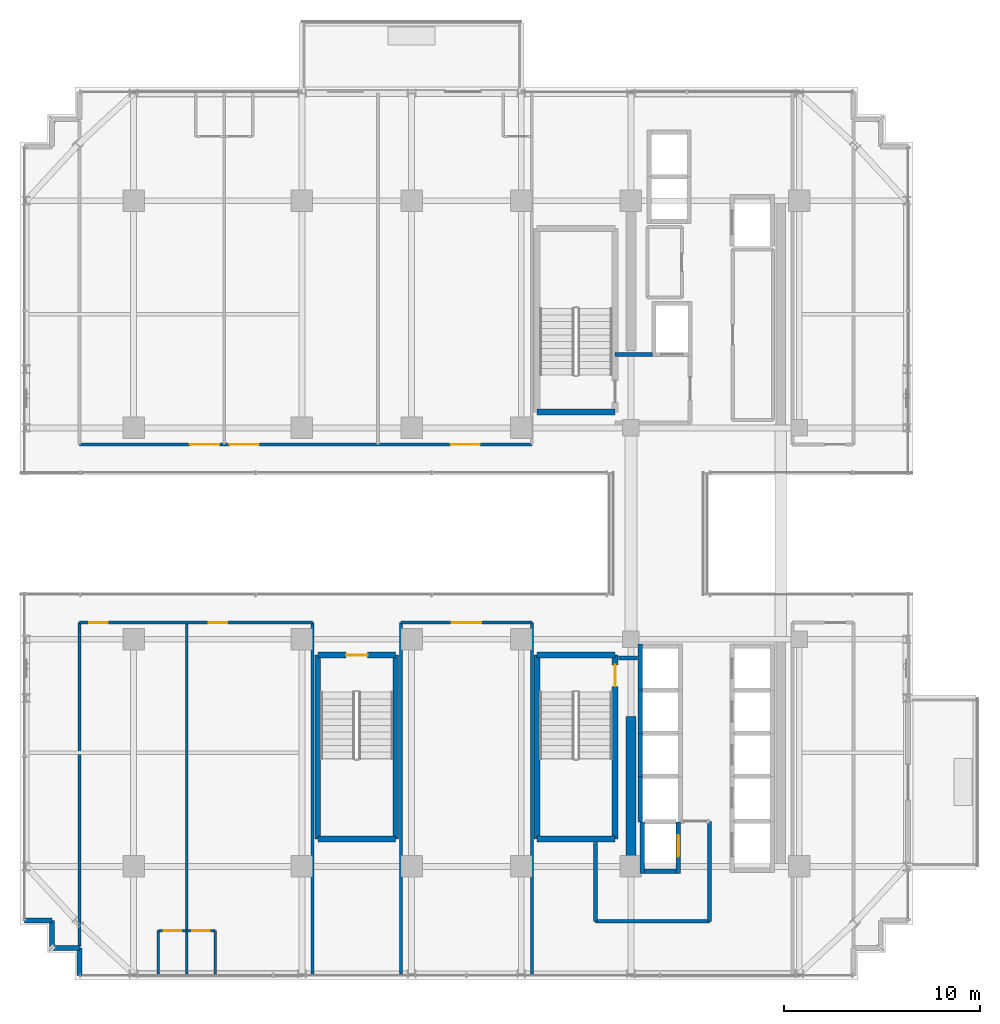
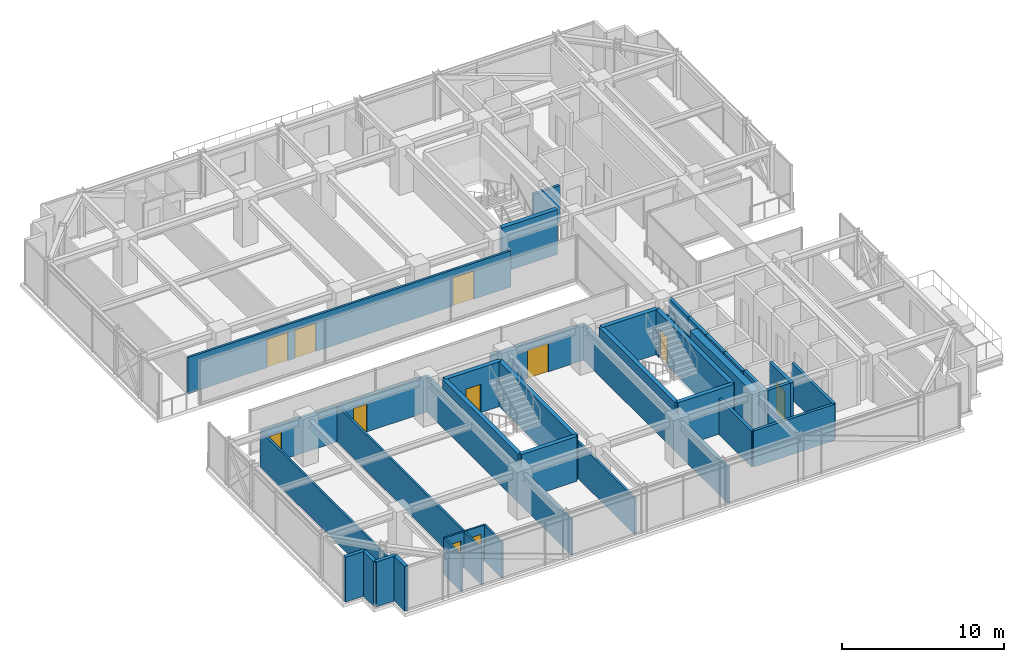
# One storey, part 34 of 41: 38 walls, 11 doors, 11 openings.
"""IFC4 building model written with IfcOpenShell, lengths in metres."""

from ifc_helpers import new_model, si_unit, direction, frame, frame_2d, origin, place, context, subcontext, project, spatial, rectangle, extrude, source, transform, mapped, material, layer, layer_set, type_object, element, fill, save


model = new_model("IFC4")

# Units and contexts
model_context = context("Model", 3, precision=1e-05, world=origin(), true_north=direction((0.0, 1.0)))
body_context = subcontext(model_context, "Body", "Model", "MODEL_VIEW")
ifc_project = project(units=[si_unit("LENGTHUNIT", "METRE"), si_unit("AREAUNIT", "SQUARE_METRE"), si_unit("VOLUMEUNIT", "CUBIC_METRE"), si_unit("PLANEANGLEUNIT", "RADIAN"), si_unit("MASSUNIT", "GRAM", prefix="KILO")], contexts=[model_context])

# Site, building, storey
site_placement = place(None, origin())
site = spatial("IfcSite", under=ifc_project, at=site_placement, CompositionType="ELEMENT")
building_placement = place(site_placement, origin())
building = spatial("IfcBuilding", under=site, at=building_placement, Name="Nahalor Promenade Grand Hotel", CompositionType="ELEMENT")
storey_placement = place(building_placement, frame((0.0, 0.0, 159.949951171875)))
storey = spatial("IfcBuildingStorey", under=building, at=storey_placement, Name="L40", CompositionType="ELEMENT", Elevation=159.949951171875)

# Walls
ifc_material_1 = material(Name="Concrete B-60 (C50/60)", Category="concrete")
ifc_layer_1 = layer(ifc_material_1, 0.5)
ifc_layer_set_1 = layer_set([ifc_layer_1], Name="Concrete B-60 (C50/60)")
wall_type_1 = type_object("IfcWallType", Name="Wall-CoreShear-500", PredefinedType="SHEAR", material=ifc_layer_set_1)
shared_shape_1 = source(origin(), body_context, "Body", "SweptSolid", [
    extrude(rectangle(XDim=7.64990234375, YDim=0.5, at=frame_2d((3.824951171875, 0.0))), origin(), (0.0, 0.0, 1.0), 3.39013671875),
])
wall_1_placement = place(storey_placement, frame((8.39990234375, -17.0, 0.0), z_axis=(0.0, 0.0, 1.0), x_axis=(0.0, 1.0, 0.0)))
element("IfcWall", 1, at=wall_1_placement, inside=storey, type_object=wall_type_1, Name="CWALL-L40-SW", PredefinedType="SHEAR", context=body_context, shape_type="MappedRepresentation", body=[
    mapped(shared_shape_1, transform((0.0, 0.0, 0.0), scale=1.0)),
])
ifc_material_2 = material(Name="Concrete B-50 (C40/50)", Category="concrete")
ifc_layer_2 = layer(ifc_material_2, 0.300048828125)
ifc_layer_set_2 = layer_set([ifc_layer_2], Name="Concrete B-50 (C40/50)")
wall_type_2 = type_object("IfcWallType", Name="Wall-ShaftShear-300", PredefinedType="SHEAR", material=ifc_layer_set_2)
shared_shape_2 = source(origin(), body_context, "Body", "SweptSolid", [
    extrude(rectangle(XDim=3.97998046875, YDim=0.300048828125, at=frame_2d((1.989990234375, 0.0))), origin(), (0.0, 0.0, 1.0), 3.39013671875),
])
for number, where, z_axis, x_axis, name in (
    (2, (3.610107421875, 6.2099609375, 0.0), (0.0, 0.0, 1.0), (1.0, 0.0, 0.0), "L40 Exit Stair ST1 Shaft Wall S"),
    (3, (3.610107421875, -15.590087890625, 0.0), (0.0, 0.0, 1.0), (1.0, 0.0, 0.0), "L40 Exit Stair ST2 Shaft Wall S"),
    (4, (3.610107421875, -6.2099609375, 0.0), (0.0, 0.0, 1.0), (1.0, 0.0, 0.0), "L40 Exit Stair ST2 Shaft Wall N"),
    (5, (-7.590087890625, -15.590087890625, 0.0), (0.0, 0.0, 1.0), (1.0, 0.0, 0.0), "L40 Exit Stair ST3 Shaft Wall S"),
):
    element("IfcWall", number, at=place(storey_placement, frame(where, z_axis=z_axis, x_axis=x_axis)), inside=storey, type_object=wall_type_2, Name=name, PredefinedType="SHEAR", context=body_context, shape_type="MappedRepresentation", body=[
        mapped(shared_shape_2, transform((0.0, 0.0, 0.0), scale=1.0)),
    ])

# Wall, opening, door
wall_2_placement = place(storey_placement, frame((-7.590087890625, -6.2099609375, 0.0), z_axis=(0.0, 0.0, 1.0), x_axis=(1.0, 0.0, 0.0)))
wall_2 = element("IfcWall", 6, at=wall_2_placement, inside=storey, type_object=wall_type_2, Name="L40 Exit Stair ST3 Shaft Wall N", PredefinedType="SHEAR", context=body_context, shape_type="MappedRepresentation", body=[
    mapped(shared_shape_2, transform((0.0, 0.0, 0.0), scale=1.0)),
])
opening_1_placement = place(wall_2_placement, frame((1.43994140625, 0.0, 0.0)))
opening_1 = element("IfcOpeningElement", 7, at=opening_1_placement, cuts=wall_2, Name="Opening D-ST1", PredefinedType="OPENING", context=body_context, shape_type="SweptSolid", body=[
    extrude(rectangle(XDim=1.10009765625, YDim=2.14990234375, at=frame_2d((0.550048828125, 1.074951171875))), frame((0.0, 0.159912109375, 0.0), z_axis=(0.0, -1.0, 0.0), x_axis=(1.0, 0.0, 0.0)), (0.0, 0.0, 1.0), 0.320068359375),
])
ifc_material_3 = material(Name="Steel S355JR", Category="steel")
door_type_1 = type_object("IfcDoorType", Name="Door-StairFire-1100", OperationType="NOTDEFINED", PredefinedType="DOOR", material=ifc_material_3)
shared_shape_3 = source(origin(), body_context, "Body", "SweptSolid", [
    extrude(rectangle(XDim=1.10009765625, YDim=2.14990234375, at=frame_2d((0.550048828125, 1.074951171875))), frame((0.0, 0.02490234375, 0.0), z_axis=(0.0, -1.0, 0.0), x_axis=(1.0, 0.0, 0.0)), (0.0, 0.0, 1.0), 0.050048828125),
])
door_1_placement = place(opening_1_placement, frame((1.10009765625, 0.0, 0.0), z_axis=(0.0, 0.0, 1.0), x_axis=(-1.0, 0.0, 0.0)))
door_1 = element("IfcDoor", 8, at=door_1_placement, inside=storey, type_object=door_type_1, Name="DR-STAIR-ST3-L40", OperationType="SINGLE_SWING_LEFT", OverallHeight=2.14990234375, OverallWidth=1.10009765625, PredefinedType="DOOR", context=body_context, shape_type="MappedRepresentation", body=[
    mapped(shared_shape_3, transform((0.0, 0.0, 0.0), scale=1.0)),
])
fill(opening_1, door_1)

# Wall
shared_shape_4 = source(origin(), body_context, "Body", "SweptSolid", [
    extrude(rectangle(XDim=9.380126953125, YDim=0.300048828125, at=frame_2d((4.68994140625, 0.0))), origin(), (0.0, 0.0, 1.0), 3.39013671875),
])
wall_3_placement = place(storey_placement, frame((3.610107421875, -15.590087890625, 0.0), z_axis=(0.0, 0.0, 1.0), x_axis=(0.0, 1.0, 0.0)))
element("IfcWall", 9, at=wall_3_placement, inside=storey, type_object=wall_type_2, Name="L40 Exit Stair ST2 Shaft Wall W", PredefinedType="SHEAR", context=body_context, shape_type="MappedRepresentation", body=[
    mapped(shared_shape_4, transform((0.0, 0.0, 0.0), scale=1.0)),
])

# Wall, opening, door
wall_4_placement = place(storey_placement, frame((7.590087890625, -15.590087890625, 0.0), z_axis=(0.0, 0.0, 1.0), x_axis=(0.0, 1.0, 0.0)))
wall_4 = element("IfcWall", 10, at=wall_4_placement, inside=storey, type_object=wall_type_2, Name="L40 Exit Stair ST2 Shaft Wall E", PredefinedType="SHEAR", context=body_context, shape_type="MappedRepresentation", body=[
    mapped(shared_shape_4, transform((0.0, 0.0, 0.0), scale=1.0)),
])
opening_2_placement = place(wall_4_placement, frame((7.7900390625, 0.0, 0.0)))
opening_2 = element("IfcOpeningElement", 11, at=opening_2_placement, cuts=wall_4, Name="Opening D-ST1", PredefinedType="OPENING", context=body_context, shape_type="SweptSolid", body=[
    extrude(rectangle(XDim=1.10009765625, YDim=2.14990234375, at=frame_2d((0.550048828125, 1.074951171875))), frame((0.0, 0.159912109375, 0.0), z_axis=(0.0, -1.0, 0.0), x_axis=(1.0, 0.0, 0.0)), (0.0, 0.0, 1.0), 0.320068359375),
])
door_2_placement = place(opening_2_placement, origin())
door_2 = element("IfcDoor", 12, at=door_2_placement, inside=storey, type_object=door_type_1, Name="DR-STAIR-ST2-L40", OperationType="SINGLE_SWING_LEFT", OverallHeight=2.14990234375, OverallWidth=1.10009765625, PredefinedType="DOOR", context=body_context, shape_type="MappedRepresentation", body=[
    mapped(shared_shape_3, transform((0.0, 0.0, 0.0), scale=1.0)),
])
fill(opening_2, door_2)

# Walls
for number, where, z_axis, x_axis, name in (
    (13, (-7.590087890625, -15.590087890625, 0.0), (0.0, 0.0, 1.0), (0.0, 1.0, 0.0), "L40 Exit Stair ST3 Shaft Wall W"),
    (14, (-3.610107421875, -15.590087890625, 0.0), (0.0, 0.0, 1.0), (0.0, 1.0, 0.0), "L40 Exit Stair ST3 Shaft Wall E"),
):
    element("IfcWall", number, at=place(storey_placement, frame(where, z_axis=z_axis, x_axis=x_axis)), inside=storey, type_object=wall_type_2, Name=name, PredefinedType="SHEAR", context=body_context, shape_type="MappedRepresentation", body=[
        mapped(shared_shape_4, transform((0.0, 0.0, 0.0), scale=1.0)),
    ])
ifc_layer_3 = layer(ifc_material_2, 0.219970703125)
ifc_layer_set_3 = layer_set([ifc_layer_3], Name="Concrete B-50 (C40/50)")
wall_type_3 = type_object("IfcWallType", Name="Wall-LiftShaft-220", PredefinedType="SHEAR", material=ifc_layer_set_3)
shared_shape_5 = source(origin(), body_context, "Body", "SweptSolid", [
    extrude(rectangle(XDim=2.360107421875, YDim=0.219970703125, at=frame_2d((1.18017578125, 0.0))), origin(), (0.0, 0.0, 1.0), 3.39013671875),
])
wall_5_placement = place(storey_placement, frame((8.8798828125, -8.0, 0.0), z_axis=(0.0, 0.0, 1.0), x_axis=(0.0, 1.0, 0.0)))
element("IfcWall", 15, at=wall_5_placement, inside=storey, type_object=wall_type_3, Name="L40 Lift PL9 Hoistway Wall W", PredefinedType="SHEAR", context=body_context, shape_type="MappedRepresentation", body=[
    mapped(shared_shape_5, transform((0.0, 0.0, 0.0), scale=1.0)),
])
shared_shape_6 = source(origin(), body_context, "Body", "SweptSolid", [
    extrude(rectangle(XDim=2.199951171875, YDim=0.219970703125, at=frame_2d((1.10009765625, 0.0))), origin(), (0.0, 0.0, 1.0), 3.39013671875),
])
for number, where, z_axis, x_axis, name in (
    (16, (8.8798828125, -10.199951171875, 0.0), (0.0, 0.0, 1.0), (0.0, 1.0, 0.0), "L40 Lift PL10 Hoistway Wall W"),
    (17, (8.8798828125, -12.39990234375, 0.0), (0.0, 0.0, 1.0), (0.0, 1.0, 0.0), "L40 Lift PL11 Hoistway Wall W"),
):
    element("IfcWall", number, at=place(storey_placement, frame(where, z_axis=z_axis, x_axis=x_axis)), inside=storey, type_object=wall_type_3, Name=name, PredefinedType="SHEAR", context=body_context, shape_type="MappedRepresentation", body=[
        mapped(shared_shape_6, transform((0.0, 0.0, 0.0), scale=1.0)),
    ])
shared_shape_7 = source(origin(), body_context, "Body", "SweptSolid", [
    extrude(rectangle(XDim=2.3251953125, YDim=0.219970703125, at=frame_2d((1.16259765625, 0.0))), origin(), (0.0, 0.0, 1.0), 3.39013671875),
])
wall_6_placement = place(storey_placement, frame((8.8798828125, -14.72509765625, 0.0), z_axis=(0.0, 0.0, 1.0), x_axis=(0.0, 1.0, 0.0)))
element("IfcWall", 18, at=wall_6_placement, inside=storey, type_object=wall_type_3, Name="L40 Lift PL12 Hoistway Wall W", PredefinedType="SHEAR", context=body_context, shape_type="MappedRepresentation", body=[
    mapped(shared_shape_7, transform((0.0, 0.0, 0.0), scale=1.0)),
])
shared_shape_8 = source(origin(), body_context, "Body", "SweptSolid", [
    extrude(rectangle(XDim=2.635009765625, YDim=0.219970703125, at=frame_2d((1.3173828125, 0.0))), origin(), (0.0, 0.0, 1.0), 3.39013671875),
])
wall_7_placement = place(storey_placement, frame((8.97998046875, -17.360107421875, 0.0), z_axis=(0.0, 0.0, 1.0), x_axis=(0.0, 1.0, 0.0)))
element("IfcWall", 19, at=wall_7_placement, inside=storey, type_object=wall_type_3, Name="L40 Lift FL2 Hoistway Wall W", PredefinedType="SHEAR", context=body_context, shape_type="MappedRepresentation", body=[
    mapped(shared_shape_8, transform((0.0, 0.0, 0.0), scale=1.0)),
])

# Wall, opening, door
wall_8_placement = place(storey_placement, frame((10.820068359375, -17.360107421875, 0.0), z_axis=(0.0, 0.0, 1.0), x_axis=(0.0, 1.0, 0.0)))
wall_8 = element("IfcWall", 20, at=wall_8_placement, inside=storey, type_object=wall_type_3, Name="L40 Lift FL2 Hoistway Wall E", PredefinedType="SHEAR", context=body_context, shape_type="MappedRepresentation", body=[
    mapped(shared_shape_8, transform((0.0, 0.0, 0.0), scale=1.0)),
])
opening_3_placement = place(wall_8_placement, frame((0.860107421875, 0.0, 0.0)))
opening_3 = element("IfcOpeningElement", 21, at=opening_3_placement, cuts=wall_8, Name="Opening LD-02", PredefinedType="OPENING", context=body_context, shape_type="SweptSolid", body=[
    extrude(rectangle(XDim=1.10009765625, YDim=2.199951171875, at=frame_2d((0.550048828125, 1.10009765625))), frame((0.0, 0.119873046875, 0.0), z_axis=(0.0, -1.0, 0.0), x_axis=(1.0, 0.0, 0.0)), (0.0, 0.0, 1.0), 0.239990234375),
])
door_type_2 = type_object("IfcDoorType", Name="Door-LiftFF-1100", OperationType="DOUBLE_DOOR_SLIDING", PredefinedType="DOOR", material=ifc_material_3)
shared_shape_9 = source(origin(), body_context, "Body", "SweptSolid", [
    extrude(rectangle(XDim=1.10009765625, YDim=2.199951171875, at=frame_2d((0.550048828125, 1.10009765625))), frame((0.0, 0.02490234375, 0.0), z_axis=(0.0, -1.0, 0.0), x_axis=(1.0, 0.0, 0.0)), (0.0, 0.0, 1.0), 0.050048828125),
])
door_3_placement = place(opening_3_placement, frame((1.10009765625, 0.0, 0.0), z_axis=(0.0, 0.0, 1.0), x_axis=(-1.0, 0.0, 0.0)))
door_3 = element("IfcDoor", 22, at=door_3_placement, inside=storey, type_object=door_type_2, Name="DR-LIFT-FL2-L40", OperationType="DOUBLE_DOOR_SLIDING", OverallHeight=2.199951171875, OverallWidth=1.10009765625, PredefinedType="DOOR", context=body_context, shape_type="MappedRepresentation", body=[
    mapped(shared_shape_9, transform((0.0, 0.0, 0.0), scale=1.0)),
])
fill(opening_3, door_3)

# Walls
shared_shape_10 = source(origin(), body_context, "Body", "SweptSolid", [
    extrude(rectangle(XDim=1.619873046875, YDim=0.219970703125, at=frame_2d((0.81005859375, 0.0))), origin(), (0.0, 0.0, 1.0), 3.39013671875),
])
wall_9_placement = place(storey_placement, frame((9.090087890625, -17.25, 0.0), z_axis=(0.0, 0.0, 1.0), x_axis=(1.0, 0.0, 0.0)))
element("IfcWall", 23, at=wall_9_placement, inside=storey, type_object=wall_type_3, Name="L40 Lift FL2 Hoistway Wall S", PredefinedType="SHEAR", context=body_context, shape_type="MappedRepresentation", body=[
    mapped(shared_shape_10, transform((0.0, 0.0, 0.0), scale=1.0)),
])
ifc_material_4 = material(Name="Concrete B-40 (C32/40)", Category="concrete")
ifc_layer_4 = layer(ifc_material_4, 0.25)
ifc_layer_set_4 = layer_set([ifc_layer_4], Name="Concrete B-40 (C32/40)")
wall_type_4 = type_object("IfcWallType", Name="Wall-BronzePier-250", PredefinedType="STANDARD", material=ifc_layer_set_4)
shared_shape_11 = source(origin(), body_context, "Body", "SweptSolid", [
    extrude(rectangle(XDim=1.400146484375, YDim=0.25, at=frame_2d((0.7001953125, 0.0))), origin(), (0.0, 0.0, 1.0), 3.39013671875),
])
for number, where, z_axis, x_axis, name in (
    (24, (-22.56005859375, -19.760009765625, 0.0), (0.0, 0.0, 1.0), (1.0, 0.0, 0.0), "W-L40-SR-13"),
    (25, (-19.760009765625, -22.56005859375, 0.0), (0.0, 0.0, 1.0), (0.0, 1.0, 0.0), "W-L40-SR-16"),
):
    element("IfcWall", number, at=place(storey_placement, frame(where, z_axis=z_axis, x_axis=x_axis)), inside=storey, type_object=wall_type_4, Name=name, PredefinedType="STANDARD", context=body_context, shape_type="MappedRepresentation", body=[
        mapped(shared_shape_11, transform((0.0, 0.0, 0.0), scale=1.0)),
    ])
shared_shape_12 = source(origin(), body_context, "Body", "SweptSolid", [
    extrude(rectangle(XDim=1.39990234375, YDim=0.25, at=frame_2d((0.699951171875, 0.0))), origin(), (0.0, 0.0, 1.0), 3.39013671875),
])
for number, where, z_axis, x_axis, name in (
    (26, (-21.159912109375, -21.159912109375, 0.0), (0.0, 0.0, 1.0), (0.0, 1.0, 0.0), "W-L40-SR-14"),
    (27, (-21.159912109375, -21.159912109375, 0.0), (0.0, 0.0, 1.0), (1.0, 0.0, 0.0), "W-L40-SR-15"),
):
    element("IfcWall", number, at=place(storey_placement, frame(where, z_axis=z_axis, x_axis=x_axis)), inside=storey, type_object=wall_type_4, Name=name, PredefinedType="STANDARD", context=body_context, shape_type="MappedRepresentation", body=[
        mapped(shared_shape_12, transform((0.0, 0.0, 0.0), scale=1.0)),
    ])
ifc_layer_5 = layer(ifc_material_4, 0.199951171875)
ifc_layer_set_5 = layer_set([ifc_layer_5], Name="Concrete B-40 (C32/40)")
wall_type_5 = type_object("IfcWallType", Name="Wall-PartFire-200", PredefinedType="PARTITIONING", material=ifc_layer_set_5)
shared_shape_13 = source(origin(), body_context, "Body", "SweptSolid", [
    extrude(rectangle(XDim=1.89990234375, YDim=0.199951171875, at=frame_2d((0.949951171875, 0.0))), origin(), (0.0, 0.0, 1.0), 2.72998046875),
])
wall_10_placement = place(storey_placement, frame((7.60009765625, 9.14990234375, 0.0), z_axis=(0.0, 0.0, 1.0), x_axis=(1.0, 0.0, 0.0)))
element("IfcWall", 28, at=wall_10_placement, inside=storey, type_object=wall_type_5, Name="W-L40-FF1-N", PredefinedType="PARTITIONING", context=body_context, shape_type="MappedRepresentation", body=[
    mapped(shared_shape_13, transform((0.0, 0.0, 0.0), scale=1.0)),
])
shared_shape_14 = source(origin(), body_context, "Body", "SweptSolid", [
    extrude(rectangle(XDim=5.81982421875, YDim=0.199951171875, at=frame_2d((2.909912109375, 0.0))), origin(), (0.0, 0.0, 1.0), 2.72998046875),
])
wall_11_placement = place(storey_placement, frame((6.60009765625, -19.800048828125, 0.0), z_axis=(0.0, 0.0, 1.0), x_axis=(1.0, 0.0, 0.0)))
element("IfcWall", 29, at=wall_11_placement, inside=storey, type_object=wall_type_5, Name="W-L40-FF2-S1", PredefinedType="PARTITIONING", context=body_context, shape_type="MappedRepresentation", body=[
    mapped(shared_shape_14, transform((0.0, 0.0, 0.0), scale=1.0)),
])
shared_shape_15 = source(origin(), body_context, "Body", "SweptSolid", [
    extrude(rectangle(XDim=4.030029296875, YDim=0.199951171875, at=frame_2d((2.01513671875, 0.0))), origin(), (0.0, 0.0, 1.0), 2.72998046875),
])
wall_12_placement = place(storey_placement, frame((6.60009765625, -19.800048828125, 0.0), z_axis=(0.0, 0.0, 1.0), x_axis=(0.0, 1.0, 0.0)))
element("IfcWall", 30, at=wall_12_placement, inside=storey, type_object=wall_type_5, Name="W-L40-FF2-W1", PredefinedType="PARTITIONING", context=body_context, shape_type="MappedRepresentation", body=[
    mapped(shared_shape_15, transform((0.0, 0.0, 0.0), scale=1.0)),
])
shared_shape_16 = source(origin(), body_context, "Body", "SweptSolid", [
    extrude(rectangle(XDim=5.10009765625, YDim=0.199951171875, at=frame_2d((2.550048828125, 0.0))), origin(), (0.0, 0.0, 1.0), 2.72998046875),
])
wall_13_placement = place(storey_placement, frame((12.419921875, -19.800048828125, 0.0), z_axis=(0.0, 0.0, 1.0), x_axis=(0.0, 1.0, 0.0)))
element("IfcWall", 31, at=wall_13_placement, inside=storey, type_object=wall_type_5, Name="W-L40-FF2-E", PredefinedType="PARTITIONING", context=body_context, shape_type="MappedRepresentation", body=[
    mapped(shared_shape_16, transform((0.0, 0.0, 0.0), scale=1.0)),
])
shared_shape_17 = source(origin(), body_context, "Body", "SweptSolid", [
    extrude(rectangle(XDim=0.969970703125, YDim=0.199951171875, at=frame_2d((0.48486328125, 0.0))), origin(), (0.0, 0.0, 1.0), 2.72998046875),
])
wall_14_placement = place(storey_placement, frame((7.77001953125, -6.35009765625, 0.0), z_axis=(0.0, 0.0, 1.0), x_axis=(1.0, 0.0, 0.0)))
element("IfcWall", 32, at=wall_14_placement, inside=storey, type_object=wall_type_5, Name="W-L40-FF2-N2", PredefinedType="PARTITIONING", context=body_context, shape_type="MappedRepresentation", body=[
    mapped(shared_shape_17, transform((0.0, 0.0, 0.0), scale=1.0)),
])
ifc_material_5 = material(Name="Acoustic Mineral Gypsum", Category="gypsum")
ifc_layer_6 = layer(ifc_material_5, 0.159912109375)
ifc_layer_set_6 = layer_set([ifc_layer_6], Name="Acoustic Mineral Gypsum")
wall_type_6 = type_object("IfcWallType", Name="Wall-PartCorridor-160", PredefinedType="PARTITIONING", material=ifc_layer_set_6)
shared_shape_18 = source(origin(), body_context, "Body", "SweptSolid", [
    extrude(rectangle(XDim=17.949951171875, YDim=0.159912109375, at=frame_2d((8.97509765625, 0.0))), origin(), (0.0, 0.0, 1.0), 2.72998046875),
])
for number, where, z_axis, x_axis, name in (
    (33, (-3.340087890625, -22.5, 0.0), (0.0, 0.0, 1.0), (0.0, 1.0, 0.0), "W-L40-SCB-W"),
    (34, (3.340087890625, -22.5, 0.0), (0.0, 0.0, 1.0), (0.0, 1.0, 0.0), "W-L40-SCB-E"),
):
    element("IfcWall", number, at=place(storey_placement, frame(where, z_axis=z_axis, x_axis=x_axis)), inside=storey, type_object=wall_type_6, Name=name, PredefinedType="PARTITIONING", context=body_context, shape_type="MappedRepresentation", body=[
        mapped(shared_shape_18, transform((0.0, 0.0, 0.0), scale=1.0)),
    ])

# Wall, opening, door
ifc_layer_7 = layer(ifc_material_5, 0.1201171875)
ifc_layer_set_7 = layer_set([ifc_layer_7], Name="Acoustic Mineral Gypsum")
wall_type_7 = type_object("IfcWallType", Name="Wall-PartBath-120", PredefinedType="PARTITIONING", material=ifc_layer_set_7)
shared_shape_19 = source(origin(), body_context, "Body", "SweptSolid", [
    extrude(rectangle(XDim=1.449951171875, YDim=0.1201171875, at=frame_2d((0.72509765625, 0.0))), origin(), (0.0, 0.0, 1.0), 2.72998046875),
])
wall_15_placement = place(storey_placement, frame((-14.285888671875, -20.280029296875, 0.0), z_axis=(0.0, 0.0, 1.0), x_axis=(1.0, 0.0, 0.0)))
wall_15 = element("IfcWall", 35, at=wall_15_placement, inside=storey, type_object=wall_type_7, Name="W-L40-S2-BH", PredefinedType="PARTITIONING", context=body_context, shape_type="MappedRepresentation", body=[
    mapped(shared_shape_19, transform((0.0, 0.0, 0.0), scale=1.0)),
])
opening_4_placement = place(wall_15_placement, frame((0.284912109375, 0.0, 0.0)))
opening_4 = element("IfcOpeningElement", 36, at=opening_4_placement, cuts=wall_15, Name="Opening D-03", PredefinedType="OPENING", context=body_context, shape_type="SweptSolid", body=[
    extrude(rectangle(XDim=0.8798828125, YDim=2.10009765625, at=frame_2d((0.43994140625, 1.050048828125))), frame((0.0, 0.070068359375, 0.0), z_axis=(0.0, -1.0, 0.0), x_axis=(1.0, 0.0, 0.0)), (0.0, 0.0, 1.0), 0.14013671875),
])
ifc_material_6 = material(Name="Fire-Rated Timber Composite", Category="wood")
door_type_3 = type_object("IfcDoorType", Name="Door-BathSwing-880", OperationType="NOTDEFINED", PredefinedType="DOOR", material=ifc_material_6)
shared_shape_20 = source(origin(), body_context, "Body", "SweptSolid", [
    extrude(rectangle(XDim=0.8798828125, YDim=2.10009765625, at=frame_2d((0.43994140625, 1.050048828125))), frame((0.0, 0.02490234375, 0.0), z_axis=(0.0, -1.0, 0.0), x_axis=(1.0, 0.0, 0.0)), (0.0, 0.0, 1.0), 0.050048828125),
])
door_4_placement = place(opening_4_placement, frame((0.8798828125, 0.0, 0.0), z_axis=(0.0, 0.0, 1.0), x_axis=(-1.0, 0.0, 0.0)))
door_4 = element("IfcDoor", 37, at=door_4_placement, inside=storey, type_object=door_type_3, Name="DR-L40-S2-BATH", OperationType="SINGLE_SWING_LEFT", OverallHeight=2.10009765625, OverallWidth=0.8798828125, PredefinedType="DOOR", context=body_context, shape_type="MappedRepresentation", body=[
    mapped(shared_shape_20, transform((0.0, 0.0, 0.0), scale=1.0)),
])
fill(opening_4, door_4)

# Walls
shared_shape_21 = source(origin(), body_context, "Body", "SweptSolid", [
    extrude(rectangle(XDim=2.219970703125, YDim=0.1201171875, at=frame_2d((1.10986328125, 0.0))), origin(), (0.0, 0.0, 1.0), 2.72998046875),
])
for number, where, z_axis, x_axis, name in (
    (38, (-15.736083984375, -22.5, 0.0), (0.0, 0.0, 1.0), (0.0, 1.0, 0.0), "W-L40-S1-BV"),
    (39, (-12.8359375, -22.5, 0.0), (0.0, 0.0, 1.0), (0.0, 1.0, 0.0), "W-L40-S2-BV"),
):
    element("IfcWall", number, at=place(storey_placement, frame(where, z_axis=z_axis, x_axis=x_axis)), inside=storey, type_object=wall_type_7, Name=name, PredefinedType="PARTITIONING", context=body_context, shape_type="MappedRepresentation", body=[
        mapped(shared_shape_21, transform((0.0, 0.0, 0.0), scale=1.0)),
    ])
ifc_layer_8 = layer(ifc_material_5, 0.139892578125)
ifc_layer_set_8 = layer_set([ifc_layer_8], Name="Acoustic Mineral Gypsum")
wall_type_8 = type_object("IfcWallType", Name="Wall-PartSuite-140", PredefinedType="PARTITIONING", material=ifc_layer_set_8)
shared_shape_22 = source(origin(), body_context, "Body", "SweptSolid", [
    extrude(rectangle(XDim=17.949951171875, YDim=0.139892578125, at=frame_2d((8.97509765625, 0.0))), origin(), (0.0, 0.0, 1.0), 2.72998046875),
])
for number, where, z_axis, x_axis, name in (
    (40, (-7.860107421875, -22.5, 0.0), (0.0, 0.0, 1.0), (0.0, 1.0, 0.0), "W-L40-SW-ENDE"),
    (41, (-14.285888671875, -22.5, 0.0), (0.0, 0.0, 1.0), (0.0, 1.0, 0.0), "W-L40-SP-1"),
):
    element("IfcWall", number, at=place(storey_placement, frame(where, z_axis=z_axis, x_axis=x_axis)), inside=storey, type_object=wall_type_8, Name=name, PredefinedType="PARTITIONING", context=body_context, shape_type="MappedRepresentation", body=[
        mapped(shared_shape_22, transform((0.0, 0.0, 0.0), scale=1.0)),
    ])

# Wall, opening, door
shared_shape_23 = source(origin(), body_context, "Body", "SweptSolid", [
    extrude(rectangle(XDim=1.4501953125, YDim=0.1201171875, at=frame_2d((0.72509765625, 0.0))), origin(), (0.0, 0.0, 1.0), 2.72998046875),
])
wall_16_placement = place(storey_placement, frame((-15.736083984375, -20.280029296875, 0.0), z_axis=(0.0, 0.0, 1.0), x_axis=(1.0, 0.0, 0.0)))
wall_16 = element("IfcWall", 42, at=wall_16_placement, inside=storey, type_object=wall_type_7, Name="W-L40-S1-BH", PredefinedType="PARTITIONING", context=body_context, shape_type="MappedRepresentation", body=[
    mapped(shared_shape_23, transform((0.0, 0.0, 0.0), scale=1.0)),
])
opening_5_placement = place(wall_16_placement, frame((0.284912109375, 0.0, 0.0)))
opening_5 = element("IfcOpeningElement", 43, at=opening_5_placement, cuts=wall_16, Name="Opening D-03", PredefinedType="OPENING", context=body_context, shape_type="SweptSolid", body=[
    extrude(rectangle(XDim=0.8798828125, YDim=2.10009765625, at=frame_2d((0.43994140625, 1.050048828125))), frame((0.0, 0.070068359375, 0.0), z_axis=(0.0, -1.0, 0.0), x_axis=(1.0, 0.0, 0.0)), (0.0, 0.0, 1.0), 0.14013671875),
])
door_5_placement = place(opening_5_placement, frame((0.8798828125, 0.0, 0.0), z_axis=(0.0, 0.0, 1.0), x_axis=(-1.0, 0.0, 0.0)))
door_5 = element("IfcDoor", 44, at=door_5_placement, inside=storey, type_object=door_type_3, Name="DR-L40-S1-BATH", OperationType="SINGLE_SWING_LEFT", OverallHeight=2.10009765625, OverallWidth=0.8798828125, PredefinedType="DOOR", context=body_context, shape_type="MappedRepresentation", body=[
    mapped(shared_shape_20, transform((0.0, 0.0, 0.0), scale=1.0)),
])
fill(opening_5, door_5)

shared_shape_24 = source(origin(), body_context, "Body", "SweptSolid", [
    extrude(rectangle(XDim=6.68017578125, YDim=0.159912109375, at=frame_2d((3.340087890625, 0.0))), origin(), (0.0, 0.0, 1.0), 2.72998046875),
])
wall_17_placement = place(storey_placement, frame((-3.340087890625, -4.550048828125, 0.0), z_axis=(0.0, 0.0, 1.0), x_axis=(1.0, 0.0, 0.0)))
wall_17 = element("IfcWall", 45, at=wall_17_placement, inside=storey, type_object=wall_type_6, Name="W-L40-SCB-N", PredefinedType="PARTITIONING", context=body_context, shape_type="MappedRepresentation", body=[
    mapped(shared_shape_24, transform((0.0, 0.0, 0.0), scale=1.0)),
])
opening_6_placement = place(wall_17_placement, frame((2.590087890625, 0.0, 0.0)))
opening_6 = element("IfcOpeningElement", 46, at=opening_6_placement, cuts=wall_17, Name="Opening D-02", PredefinedType="OPENING", context=body_context, shape_type="SweptSolid", body=[
    extrude(rectangle(XDim=1.5, YDim=2.14990234375, at=frame_2d((0.75, 1.074951171875))), frame((0.0, 0.08984375, 0.0), z_axis=(0.0, -1.0, 0.0), x_axis=(1.0, 0.0, 0.0)), (0.0, 0.0, 1.0), 0.179931640625),
])
door_type_4 = type_object("IfcDoorType", Name="Door-SuiteDouble-1500", OperationType="DOUBLE_DOOR_SINGLE_SWING", PredefinedType="DOOR", material=ifc_material_6)
shared_shape_25 = source(origin(), body_context, "Body", "SweptSolid", [
    extrude(rectangle(XDim=1.5, YDim=2.14990234375, at=frame_2d((0.75, 1.074951171875))), frame((0.0, 0.02490234375, 0.0), z_axis=(0.0, -1.0, 0.0), x_axis=(1.0, 0.0, 0.0)), (0.0, 0.0, 1.0), 0.050048828125),
])
door_6_placement = place(opening_6_placement, frame((1.5, 0.0, 0.0), z_axis=(0.0, 0.0, 1.0), x_axis=(-1.0, 0.0, 0.0)))
door_6 = element("IfcDoor", 47, at=door_6_placement, inside=storey, type_object=door_type_4, Name="DR-L40-SCB", OperationType="DOUBLE_DOOR_SINGLE_SWING", OverallHeight=2.14990234375, OverallWidth=1.5, PredefinedType="DOOR", context=body_context, shape_type="MappedRepresentation", body=[
    mapped(shared_shape_25, transform((0.0, 0.0, 0.0), scale=1.0)),
])
fill(opening_6, door_6)

# Wall, openings, doors
shared_shape_26 = source(origin(), body_context, "Body", "SweptSolid", [
    extrude(rectangle(XDim=23.10009765625, YDim=0.159912109375, at=frame_2d((11.550048828125, 0.0))), origin(), (0.0, 0.0, 1.0), 2.72998046875),
])
wall_18_placement = place(storey_placement, frame((-19.760009765625, 4.550048828125, 0.0), z_axis=(0.0, 0.0, 1.0), x_axis=(1.0, 0.0, 0.0)))
wall_18 = element("IfcWall", 48, at=wall_18_placement, inside=storey, type_object=wall_type_6, Name="W-L40-CORR-N", PredefinedType="PARTITIONING", context=body_context, shape_type="MappedRepresentation", body=[
    mapped(shared_shape_26, transform((0.0, 0.0, 0.0), scale=1.0)),
])
opening_7_placement = place(wall_18_placement, frame((5.639892578125, 0.0, 0.0)))
opening_7 = element("IfcOpeningElement", 49, at=opening_7_placement, cuts=wall_18, Name="Opening D-02", PredefinedType="OPENING", context=body_context, shape_type="SweptSolid", body=[
    extrude(rectangle(XDim=1.5, YDim=2.14990234375, at=frame_2d((0.75, 1.074951171875))), frame((0.0, 0.08984375, 0.0), z_axis=(0.0, -1.0, 0.0), x_axis=(1.0, 0.0, 0.0)), (0.0, 0.0, 1.0), 0.179931640625),
])
opening_8_placement = place(wall_18_placement, frame((7.654052734375, 0.0, 0.0)))
opening_8 = element("IfcOpeningElement", 50, at=opening_8_placement, cuts=wall_18, Name="Opening D-02", PredefinedType="OPENING", context=body_context, shape_type="SweptSolid", body=[
    extrude(rectangle(XDim=1.5, YDim=2.14990234375, at=frame_2d((0.75, 1.074951171875))), frame((0.0, 0.08984375, 0.0), z_axis=(0.0, -1.0, 0.0), x_axis=(1.0, 0.0, 0.0)), (0.0, 0.0, 1.0), 0.179931640625),
])
opening_9_placement = place(wall_18_placement, frame((18.952880859375, 0.0, 0.0)))
opening_9 = element("IfcOpeningElement", 51, at=opening_9_placement, cuts=wall_18, Name="Opening D-02", PredefinedType="OPENING", context=body_context, shape_type="SweptSolid", body=[
    extrude(rectangle(XDim=1.5, YDim=2.14990234375, at=frame_2d((0.75, 1.074951171875))), frame((0.0, 0.08984375, 0.0), z_axis=(0.0, -1.0, 0.0), x_axis=(1.0, 0.0, 0.0)), (0.0, 0.0, 1.0), 0.179931640625),
])
door_7_placement = place(opening_7_placement, origin())
door_7 = element("IfcDoor", 52, at=door_7_placement, inside=storey, type_object=door_type_4, Name="DR-L40-N1-ENT", OperationType="DOUBLE_DOOR_SINGLE_SWING", OverallHeight=2.14990234375, OverallWidth=1.5, PredefinedType="DOOR", context=body_context, shape_type="MappedRepresentation", body=[
    mapped(shared_shape_25, transform((0.0, 0.0, 0.0), scale=1.0)),
])
fill(opening_7, door_7)
door_8_placement = place(opening_8_placement, origin())
door_8 = element("IfcDoor", 53, at=door_8_placement, inside=storey, type_object=door_type_4, Name="DR-L40-N2-ENT", OperationType="DOUBLE_DOOR_SINGLE_SWING", OverallHeight=2.14990234375, OverallWidth=1.5, PredefinedType="DOOR", context=body_context, shape_type="MappedRepresentation", body=[
    mapped(shared_shape_25, transform((0.0, 0.0, 0.0), scale=1.0)),
])
fill(opening_8, door_8)
door_9_placement = place(opening_9_placement, origin())
door_9 = element("IfcDoor", 54, at=door_9_placement, inside=storey, type_object=door_type_4, Name="DR-L40-N3-ENT", OperationType="DOUBLE_DOOR_SINGLE_SWING", OverallHeight=2.14990234375, OverallWidth=1.5, PredefinedType="DOOR", context=body_context, shape_type="MappedRepresentation", body=[
    mapped(shared_shape_25, transform((0.0, 0.0, 0.0), scale=1.0)),
])
fill(opening_9, door_9)

# Wall
shared_shape_27 = source(origin(), body_context, "Body", "SweptSolid", [
    extrude(rectangle(XDim=16.530029296875, YDim=0.139892578125, at=frame_2d((8.26513671875, 0.0))), origin(), (0.0, 0.0, 1.0), 2.72998046875),
])
wall_19_placement = place(storey_placement, frame((-19.760009765625, -21.080078125, 0.0), z_axis=(0.0, 0.0, 1.0), x_axis=(0.0, 1.0, 0.0)))
element("IfcWall", 55, at=wall_19_placement, inside=storey, type_object=wall_type_8, Name="W-L40-SW-ENDW", PredefinedType="PARTITIONING", context=body_context, shape_type="MappedRepresentation", body=[
    mapped(shared_shape_27, transform((0.0, 0.0, 0.0), scale=1.0)),
])

# Wall, openings, doors
shared_shape_28 = source(origin(), body_context, "Body", "SweptSolid", [
    extrude(rectangle(XDim=11.89990234375, YDim=0.159912109375, at=frame_2d((5.949951171875, 0.0))), origin(), (0.0, 0.0, 1.0), 2.72998046875),
])
wall_20_placement = place(storey_placement, frame((-19.760009765625, -4.550048828125, 0.0), z_axis=(0.0, 0.0, 1.0), x_axis=(1.0, 0.0, 0.0)))
wall_20 = element("IfcWall", 56, at=wall_20_placement, inside=storey, type_object=wall_type_6, Name="W-L40-CORR-S", PredefinedType="PARTITIONING", context=body_context, shape_type="MappedRepresentation", body=[
    mapped(shared_shape_28, transform((0.0, 0.0, 0.0), scale=1.0)),
])
opening_10_placement = place(wall_20_placement, frame((0.486083984375, 0.0, 0.0)))
opening_10 = element("IfcOpeningElement", 57, at=opening_10_placement, cuts=wall_20, Name="Opening D-01", PredefinedType="OPENING", context=body_context, shape_type="SweptSolid", body=[
    extrude(rectangle(XDim=0.949951171875, YDim=2.10009765625, at=frame_2d((0.47509765625, 1.050048828125))), frame((0.0, 0.08984375, 0.0), z_axis=(0.0, -1.0, 0.0), x_axis=(1.0, 0.0, 0.0)), (0.0, 0.0, 1.0), 0.179931640625),
])
opening_11_placement = place(wall_20_placement, frame((6.589111328125, 0.0, 0.0)))
opening_11 = element("IfcOpeningElement", 58, at=opening_11_placement, cuts=wall_20, Name="Opening D-01", PredefinedType="OPENING", context=body_context, shape_type="SweptSolid", body=[
    extrude(rectangle(XDim=0.949951171875, YDim=2.10009765625, at=frame_2d((0.47509765625, 1.050048828125))), frame((0.0, 0.08984375, 0.0), z_axis=(0.0, -1.0, 0.0), x_axis=(1.0, 0.0, 0.0)), (0.0, 0.0, 1.0), 0.179931640625),
])
door_type_5 = type_object("IfcDoorType", Name="Door-GuestEntry-950", OperationType="NOTDEFINED", PredefinedType="DOOR", material=ifc_material_6)
shared_shape_29 = source(origin(), body_context, "Body", "SweptSolid", [
    extrude(rectangle(XDim=0.949951171875, YDim=2.10009765625, at=frame_2d((0.47509765625, 1.050048828125))), frame((0.0, 0.02490234375, 0.0), z_axis=(0.0, -1.0, 0.0), x_axis=(1.0, 0.0, 0.0)), (0.0, 0.0, 1.0), 0.050048828125),
])
door_10_placement = place(opening_10_placement, frame((0.949951171875, 0.0, 0.0), z_axis=(0.0, 0.0, 1.0), x_axis=(-1.0, 0.0, 0.0)))
door_10 = element("IfcDoor", 59, at=door_10_placement, inside=storey, type_object=door_type_5, Name="DR-L40-S1-ENT", OperationType="SINGLE_SWING_RIGHT", OverallHeight=2.10009765625, OverallWidth=0.949951171875, PredefinedType="DOOR", context=body_context, shape_type="MappedRepresentation", body=[
    mapped(shared_shape_29, transform((0.0, 0.0, 0.0), scale=1.0)),
])
fill(opening_10, door_10)
door_11_placement = place(opening_11_placement, frame((0.949951171875, 0.0, 0.0), z_axis=(0.0, 0.0, 1.0), x_axis=(-1.0, 0.0, 0.0)))
door_11 = element("IfcDoor", 60, at=door_11_placement, inside=storey, type_object=door_type_5, Name="DR-L40-S2-ENT", OperationType="SINGLE_SWING_RIGHT", OverallHeight=2.10009765625, OverallWidth=0.949951171875, PredefinedType="DOOR", context=body_context, shape_type="MappedRepresentation", body=[
    mapped(shared_shape_29, transform((0.0, 0.0, 0.0), scale=1.0)),
])
fill(opening_11, door_11)

save(model, "model.ifc")
